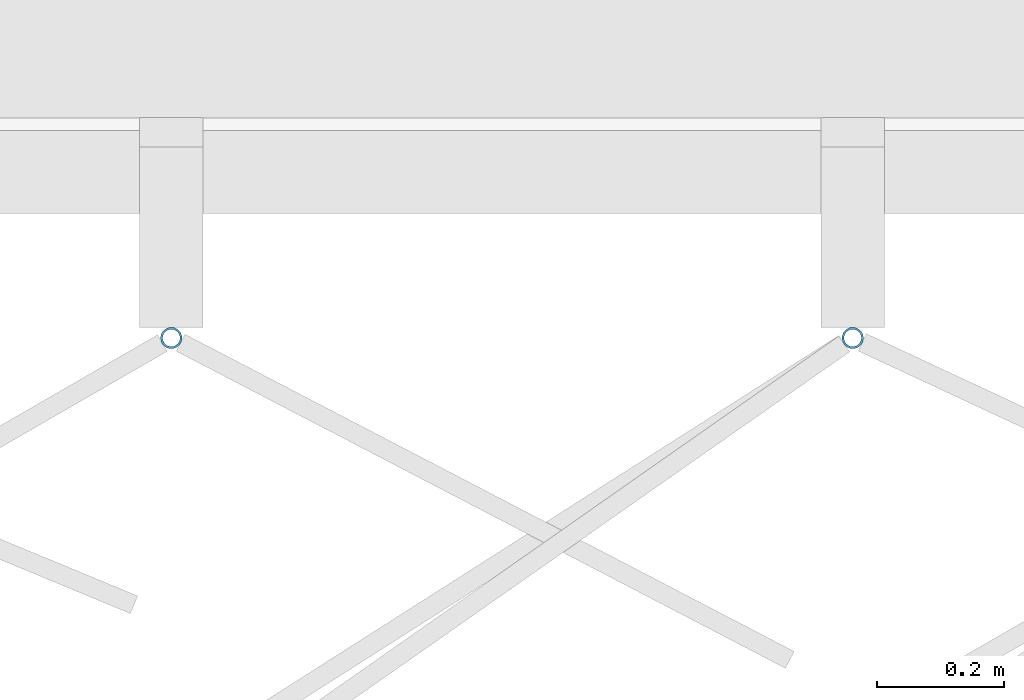
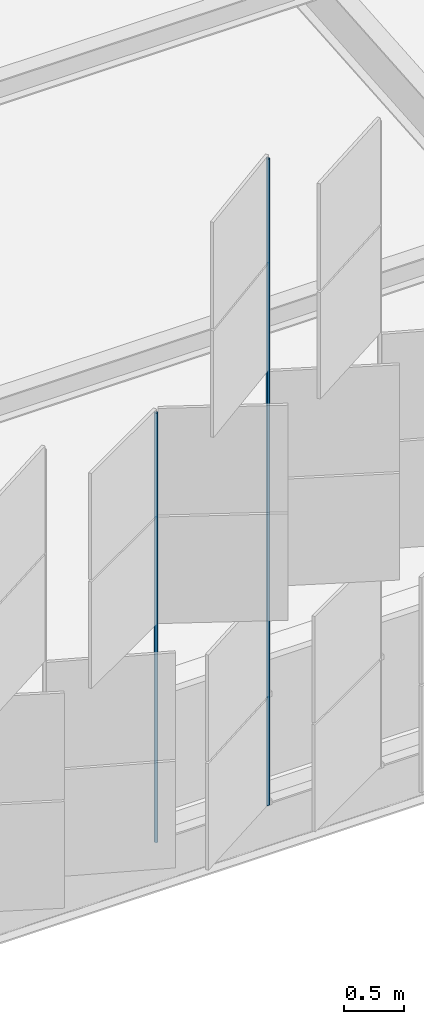
# One storey, part 147 of 483: 2 discrete accessories.
"""IFC4 building model written with IfcOpenShell, lengths in metres."""

from ifc_helpers import new_model, si_unit, direction, frame, origin, origin_2d, place, context, subcontext, project, spatial, hollow_circle, extrude, material, material_profile, profile_set, type_object, element, save


model = new_model("IFC4")

# Units and contexts
model_context = context("Model", 3, precision=1e-05, world=origin(), true_north=direction((0.0, 1.0)))
body_context = subcontext(model_context, "Body", "Model", "MODEL_VIEW")
ifc_project = project(units=[si_unit("LENGTHUNIT", "METRE"), si_unit("AREAUNIT", "SQUARE_METRE"), si_unit("VOLUMEUNIT", "CUBIC_METRE"), si_unit("PLANEANGLEUNIT", "RADIAN"), si_unit("MASSUNIT", "GRAM", prefix="KILO")], contexts=[model_context])

# Site, building, storey
site_placement = place(None, origin())
site = spatial("IfcSite", under=ifc_project, at=site_placement, CompositionType="ELEMENT")
building_placement = place(site_placement, origin())
building = spatial("IfcBuilding", under=site, at=building_placement, Name="Parallax Yard Mobility Hub", CompositionType="ELEMENT")
storey_placement = place(building_placement, frame((0.0, 0.0, 13.199951171875)))
storey = spatial("IfcBuildingStorey", under=building, at=storey_placement, Name="L04", CompositionType="ELEMENT", Elevation=13.199951171875)

# Discrete accessories
ifc_material = material(Name="Steel ASTM A500 Gr C, hot-dip galvanised", Category="steel")
ifc_material_profile = material_profile(ifc_material, hollow_circle(Radius=0.016845703125, WallThickness=0.003173828125, at=origin_2d()), Name="CHS 33.7x3.2")
ifc_profile_set = profile_set([ifc_material_profile], Name="Steel ASTM A500 Gr C, hot-dip galvanised")
discrete_accessory_type = type_object("IfcDiscreteAccessoryType", Name="Hinge post CHS 33.7x3.2", PredefinedType="BRACKET", material=ifc_profile_set)
discrete_accessory_1_placement = place(storey_placement, frame((100.704345703125, 112.199951171875, 0.0), z_axis=(0.0, 0.0, 1.0), x_axis=(1.0, 0.0, 0.0)))
element("IfcDiscreteAccessory", 1, at=discrete_accessory_1_placement, inside=storey, type_object=discrete_accessory_type, Name="Hinge post bay 9.4 level L04", PredefinedType="BRACKET", context=body_context, shape_type="SweptSolid", body=[
    extrude(hollow_circle(Radius=0.016845703125, WallThickness=0.003173828125, at=origin_2d()), origin(), (0.0, 0.0, 1.0), 4.35009765625),
])
discrete_accessory_2_placement = place(storey_placement, frame((101.77587890625, 112.199951171875, 0.0), z_axis=(0.0, 0.0, 1.0), x_axis=(1.0, 0.0, 0.0)))
element("IfcDiscreteAccessory", 2, at=discrete_accessory_2_placement, inside=storey, type_object=discrete_accessory_type, Name="Hinge post bay 9.5 level L04", PredefinedType="BRACKET", context=body_context, shape_type="SweptSolid", body=[
    extrude(hollow_circle(Radius=0.016845703125, WallThickness=0.003173828125, at=origin_2d()), origin(), (0.0, 0.0, 1.0), 6.550048828125),
])

save(model, "model.ifc")
